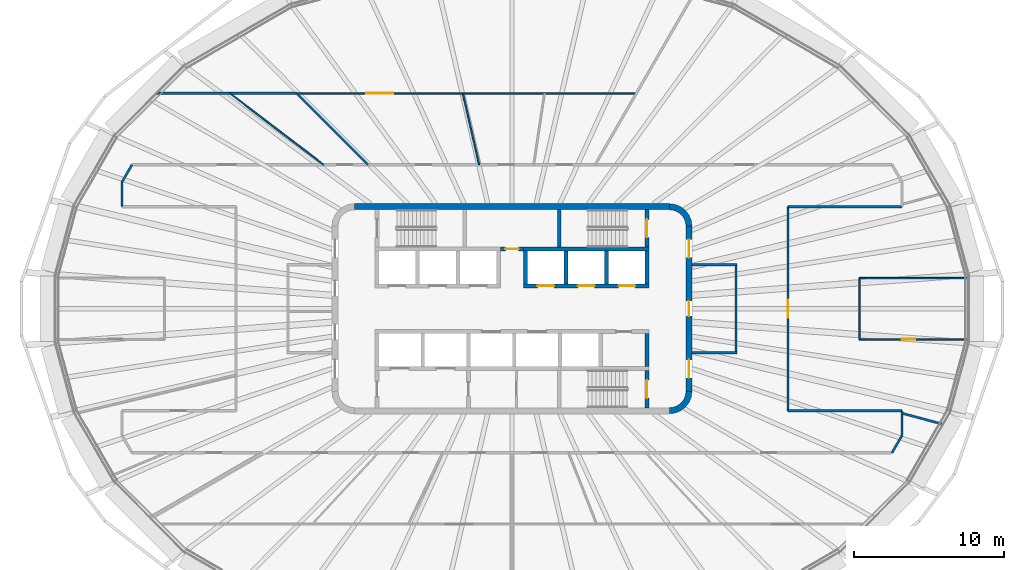
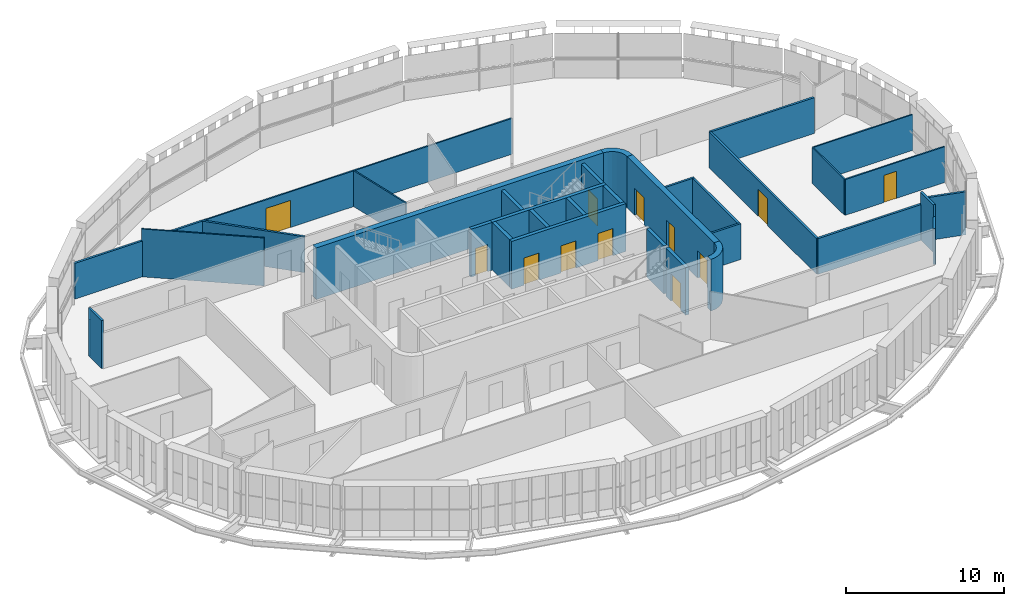
# One storey, part 12 of 20: 34 walls, 12 doors, 12 openings.
"""IFC4 building model written with IfcOpenShell, lengths in metres."""

import ifcopenshell
import ifcopenshell.guid

model = None  # the IFC model being written
_history = None  # IfcOwnerHistory: only IFC2X3 demands one
_inside = {}  # id of a spatial element -> (the spatial element, [elements in it])
_under = {}  # id of a project, library or spatial element -> (it, [spatial elements below it])
_declared = {}  # id of a project -> (the project, [libraries it declares])
_typed = {}  # id of a type object -> (the type object, [elements of that type])
_made_of = {}  # id of a material, layer set ... -> (it, [elements and type objects made of it])


def new_model(schema):
    """Start an empty IFC model of exactly this schema.

    Asked for "IFC4X3", IfcOpenShell would pick the latest addendum, in which some entities
    have other attributes; the version numbers below select the first issue.
    IFC2X3 requires an IfcOwnerHistory on every rooted entity: one is made here for all.
    """
    global model, _history
    if schema == "IFC4X3":
        model = ifcopenshell.file(schema_version=(4, 3, 0, 0))
    else:
        model = ifcopenshell.file(schema=schema)
    _inside.clear()
    _under.clear()
    _declared.clear()
    _typed.clear()
    _made_of.clear()
    _history = None
    if model.schema == "IFC2X3":
        org = make("IfcOrganization", Name="unknown")
        user = make(
            "IfcPersonAndOrganization",
            ThePerson=make("IfcPerson", FamilyName="unknown"),
            TheOrganization=org,
        )
        app = make(
            "IfcApplication",
            ApplicationDeveloper=org,
            Version="unknown",
            ApplicationFullName="unknown",
            ApplicationIdentifier="unknown",
        )
        _history = make(
            "IfcOwnerHistory",
            OwningUser=user,
            OwningApplication=app,
            ChangeAction="ADDED",
            CreationDate=0,
        )
    return model


def make(cls, **values):
    """One entity of the class cls with the attributes given. An attribute that is None is left unset."""
    return model.create_entity(
        cls, **{name: value for name, value in values.items() if value is not None}
    )


def rooted(cls, **values):
    """An entity with a GlobalId (a new one), such as an element, a storey or a relation."""
    return make(cls, GlobalId=ifcopenshell.guid.new(), OwnerHistory=_history, **values)


def si_unit(unit_type, name, prefix=None):
    """IfcSIUnit, for example si_unit("LENGTHUNIT", "METRE", prefix="MILLI")."""
    return make("IfcSIUnit", UnitType=unit_type, Prefix=prefix, Name=name)


def assignment(units):
    """IfcUnitAssignment: the units of a project."""
    return None if units is None else make("IfcUnitAssignment", Units=units)


def point(xyz):
    """IfcCartesianPoint."""
    return None if xyz is None else make("IfcCartesianPoint", Coordinates=xyz)


def direction(xyz):
    """IfcDirection."""
    return None if xyz is None else make("IfcDirection", DirectionRatios=xyz)


def frame(location, z_axis=None, x_axis=None):
    """IfcAxis2Placement3D, a coordinate frame: its origin and axes. An axis left out is left unset."""
    return make(
        "IfcAxis2Placement3D",
        Location=point(location),
        Axis=direction(z_axis),
        RefDirection=direction(x_axis),
    )


def frame_2d(location, x_axis=None):
    """IfcAxis2Placement2D, a coordinate frame in the plane: its origin and x axis."""
    return make(
        "IfcAxis2Placement2D", Location=point(location), RefDirection=direction(x_axis)
    )


def origin():
    """The frame at (0, 0, 0) with its axes left unset."""
    return frame((0.0, 0.0, 0.0))


def place(relative_to, where):
    """IfcLocalPlacement: puts the frame where relative to a parent placement (None: the world)."""
    return make(
        "IfcLocalPlacement", PlacementRelTo=relative_to, RelativePlacement=where
    )


def context(
    kind, dimensions, precision=None, world=None, true_north=None, identifier=None
):
    """IfcGeometricRepresentationContext, for example the 3D "Model" context."""
    return make(
        "IfcGeometricRepresentationContext",
        ContextIdentifier=identifier,
        ContextType=kind,
        CoordinateSpaceDimension=dimensions,
        Precision=precision,
        WorldCoordinateSystem=world,
        TrueNorth=true_north,
    )


def subcontext(parent, identifier, kind, view, scale=None):
    """IfcGeometricRepresentationSubContext, for example "Body" below "Model"."""
    return make(
        "IfcGeometricRepresentationSubContext",
        ContextIdentifier=identifier,
        ContextType=kind,
        ParentContext=parent,
        TargetScale=scale,
        TargetView=view,
    )


def project(units=None, contexts=None):
    """IfcProject with its units and contexts."""
    return rooted(
        "IfcProject",
        Name="project",
        RepresentationContexts=contexts,
        UnitsInContext=assignment(units),
    )


def spatial(cls, under=None, at=None, **own):
    """A site, building, storey or space (cls), placed at a placement, below another one or the project."""
    s = rooted(cls, ObjectPlacement=at, **own)
    if under is not None:
        _under.setdefault(under.id(), (under, []))[1].append(s)
    return s


def polyline(points):
    """IfcPolyline through the points."""
    return make("IfcPolyline", Points=[point(p) for p in points])


def profile(cls, at=None, kind="AREA", **sizes):
    """A parametric profile (cls). Its sizes go by their IFC names, for example OverallWidth=200.0."""
    return make(cls, ProfileType=kind, Position=at, **sizes)


def rectangle(**sizes):
    """IfcRectangleProfileDef."""
    return profile("IfcRectangleProfileDef", **sizes)


def outline(outer, holes=None, kind="AREA"):
    """IfcArbitraryClosedProfileDef: a profile drawn as a closed curve; with holes, ...WithVoids."""
    if holes is None:
        return make("IfcArbitraryClosedProfileDef", ProfileType=kind, OuterCurve=outer)
    return make(
        "IfcArbitraryProfileDefWithVoids",
        ProfileType=kind,
        OuterCurve=outer,
        InnerCurves=holes,
    )


def extrude(swept, where, along, depth):
    """IfcExtrudedAreaSolid: the profile swept, set in the frame where, extruded along a direction by depth."""
    return make(
        "IfcExtrudedAreaSolid",
        SweptArea=swept,
        Position=where,
        ExtrudedDirection=direction(along),
        Depth=depth,
    )


def shape(context_of_items, identifier, shape_type, items):
    """IfcShapeRepresentation: the items that make up one representation, for example the "Body"."""
    return make(
        "IfcShapeRepresentation",
        ContextOfItems=context_of_items,
        RepresentationIdentifier=identifier,
        RepresentationType=shape_type,
        Items=items,
    )


def material(Name=None, Category=None):
    """IfcMaterial."""
    return make("IfcMaterial", Name=Name, Category=Category)


def layer(
    of_material, thickness, ventilated=None, Name=None, Category=None, Priority=None
):
    """IfcMaterialLayer: one layer of a wall or slab, of a material (None: an air gap)."""
    return make(
        "IfcMaterialLayer",
        Material=of_material,
        LayerThickness=thickness,
        IsVentilated=ventilated,
        Name=Name,
        Category=Category,
        Priority=Priority,
    )


def layer_set(layers, Name=None):
    """IfcMaterialLayerSet."""
    return make("IfcMaterialLayerSet", MaterialLayers=layers, LayerSetName=Name)


def made_of(thing, what):
    """Note that an element or type object is made of a material, layer set ...; save() writes the relation."""
    if what is not None:
        _made_of.setdefault(what.id(), (what, []))[1].append(thing)
    return thing


def type_object(cls, material=None, **own):
    """A type object (cls), such as IfcWallType, which elements share."""
    return made_of(rooted(cls, **own), material)


def element(
    cls,
    number,
    at=None,
    inside=None,
    cuts=None,
    type_object=None,
    material=None,
    context=None,
    identifier="Body",
    shape_type=None,
    held_by="IfcProductDefinitionShape",
    body=None,
    shapes=None,
    **own,
):
    """One element of the class cls, such as IfcWall. Its Tag is "e" and its number.

    at: its placement. inside: the storey or other place that contains it. cuts: it is an
    opening in that element (IfcRelVoidsElement). A single representation is given by context,
    identifier, shape_type and body (its items); several are given by shapes. held_by: the class
    of the entity that holds the representations. save() writes the other relations.
    """
    e = rooted(cls, Tag="e%d" % number, ObjectPlacement=at, **own)
    if body is not None:
        shapes = [shape(context, identifier, shape_type, body)]
    if shapes is not None:
        e.Representation = make(held_by, Representations=shapes)
    if inside is not None:
        _inside.setdefault(inside.id(), (inside, []))[1].append(e)
    if cuts is not None:
        rooted(
            "IfcRelVoidsElement", RelatingBuildingElement=cuts, RelatedOpeningElement=e
        )
    if type_object is not None:
        _typed.setdefault(type_object.id(), (type_object, []))[1].append(e)
    return made_of(e, material)


def fill(opening, filler):
    """IfcRelFillsElement: the door or window that sits in an opening."""
    return rooted(
        "IfcRelFillsElement",
        RelatingOpeningElement=opening,
        RelatedBuildingElement=filler,
    )


def aggregate(whole, parts):
    """IfcRelAggregates: a whole, such as a stair, and the parts it consists of."""
    return rooted("IfcRelAggregates", RelatingObject=whole, RelatedObjects=parts)


def save(model, path):
    """Write the relations noted so far, then the file.

    IfcRelAggregates (storeys below a building ...), IfcRelContainedInSpatialStructure (elements
    in a storey), IfcRelDefinesByType, IfcRelAssociatesMaterial and IfcRelDeclares: one each for
    every whole, place, type object, material and project.
    """
    for whole, parts in _under.values():
        aggregate(whole, parts)
    for where, things in _inside.values():
        rooted(
            "IfcRelContainedInSpatialStructure",
            RelatedElements=things,
            RelatingStructure=where,
        )
    for kind, things in _typed.values():
        rooted("IfcRelDefinesByType", RelatedObjects=things, RelatingType=kind)
    for what, things in _made_of.values():
        rooted("IfcRelAssociatesMaterial", RelatedObjects=things, RelatingMaterial=what)
    for by, libraries in _declared.values():
        rooted("IfcRelDeclares", RelatingContext=by, RelatedDefinitions=libraries)
    model.write(path)


model = new_model("IFC4")

# Units and contexts
model_context = context("Model", 3, precision=1e-05, world=origin(), true_north=direction((0.0, 1.0)))
body_context = subcontext(model_context, "Body", "Model", "MODEL_VIEW")
ifc_project = project(units=[si_unit("LENGTHUNIT", "METRE"), si_unit("AREAUNIT", "SQUARE_METRE"), si_unit("VOLUMEUNIT", "CUBIC_METRE"), si_unit("PLANEANGLEUNIT", "RADIAN"), si_unit("MASSUNIT", "GRAM", prefix="KILO")], contexts=[model_context])

# Site, building, storey
site_placement = place(None, origin())
site = spatial("IfcSite", under=ifc_project, at=site_placement, CompositionType="ELEMENT")
building_placement = place(site_placement, origin())
building = spatial("IfcBuilding", under=site, at=building_placement, Name="Sahrelin Media Tower", CompositionType="ELEMENT")
storey_placement = place(building_placement, frame((0.0, 0.0, 245.60009765625)))
storey = spatial("IfcBuildingStorey", under=building, at=storey_placement, Name="L53", CompositionType="ELEMENT", Elevation=245.60009765625)

# Wall
ifc_material_1 = material(Name="Concrete C60/75", Category="concrete")
ifc_layer_1 = layer(ifc_material_1, 0.39990234375)
ifc_layer_set_1 = layer_set([ifc_layer_1], Name="Core wall 400")
wall_type_1 = type_object("IfcWallType", Name="Core wall 400", PredefinedType="SHEAR", material=ifc_layer_set_1)
wall_1_placement = place(storey_placement, frame((-10.5, 6.800048828125, 0.0), z_axis=(0.0, 0.0, 1.0), x_axis=(1.0, 0.0, 0.0)))
element("IfcWall", 1, at=wall_1_placement, inside=storey, type_object=wall_type_1, Name="Core wall N L53", PredefinedType="SHEAR", context=body_context, shape_type="SweptSolid", body=[
    extrude(rectangle(XDim=21.0, YDim=0.39990234375, at=frame_2d((10.5, 0.0))), origin(), (0.0, 0.0, 1.0), 4.0),
])

# Wall, openings, doors
wall_2_placement = place(storey_placement, frame((11.800048828125, -5.5, 0.0), z_axis=(0.0, 0.0, 1.0), x_axis=(0.0, 1.0, 0.0)))
wall_2 = element("IfcWall", 2, at=wall_2_placement, inside=storey, type_object=wall_type_1, Name="Core wall E L53", PredefinedType="SHEAR", context=body_context, shape_type="SweptSolid", body=[
    extrude(rectangle(XDim=11.0, YDim=0.39990234375, at=frame_2d((5.5, 0.0))), origin(), (0.0, 0.0, 1.0), 4.0),
])
opening_1_placement = place(wall_2_placement, frame((5.0, 0.0, 0.0)))
opening_1 = element("IfcOpeningElement", 3, at=opening_1_placement, cuts=wall_2, Name="Opening L53-D11", PredefinedType="OPENING", context=body_context, shape_type="SweptSolid", body=[
    extrude(rectangle(XDim=1.0, YDim=2.10009765625, at=frame_2d((0.5, 1.050048828125))), frame((0.0, 0.199951171875, 0.0), z_axis=(0.0, -1.0, 0.0), x_axis=(1.0, 0.0, 0.0)), (0.0, 0.0, 1.0), 0.39990234375),
])
opening_2_placement = place(wall_2_placement, frame((0.89990234375, 0.0, 0.0)))
opening_2 = element("IfcOpeningElement", 4, at=opening_2_placement, cuts=wall_2, Name="Opening L53-D14", PredefinedType="OPENING", context=body_context, shape_type="SweptSolid", body=[
    extrude(rectangle(XDim=1.199951171875, YDim=2.10009765625, at=frame_2d((0.60009765625, 1.050048828125))), frame((0.0, 0.199951171875, 0.0), z_axis=(0.0, -1.0, 0.0), x_axis=(1.0, 0.0, 0.0)), (0.0, 0.0, 1.0), 0.39990234375),
])
opening_3_placement = place(wall_2_placement, frame((8.89990234375, 0.0, 0.0)))
opening_3 = element("IfcOpeningElement", 5, at=opening_3_placement, cuts=wall_2, Name="Opening L53-D15", PredefinedType="OPENING", context=body_context, shape_type="SweptSolid", body=[
    extrude(rectangle(XDim=1.199951171875, YDim=2.10009765625, at=frame_2d((0.60009765625, 1.050048828125))), frame((0.0, 0.199951171875, 0.0), z_axis=(0.0, -1.0, 0.0), x_axis=(1.0, 0.0, 0.0)), (0.0, 0.0, 1.0), 0.39990234375),
])
ifc_material_2 = material(Name="Steel fire door leaf", Category="steel")
door_type_1 = type_object("IfcDoorType", Name="Fire door 1000 x 2100 EI 60", OperationType="NOTDEFINED", PredefinedType="DOOR", material=ifc_material_2)
door_1_placement = place(opening_1_placement, origin())
door_1 = element("IfcDoor", 6, at=door_1_placement, inside=storey, type_object=door_type_1, Name="Core room door", OperationType="SINGLE_SWING_RIGHT", OverallHeight=2.10009765625, OverallWidth=1.0, PredefinedType="DOOR", context=body_context, shape_type="SweptSolid", body=[
    extrude(rectangle(XDim=1.0, YDim=2.10009765625, at=frame_2d((0.5, 1.050048828125))), frame((0.0, 0.02490234375, 0.0), z_axis=(0.0, -1.0, 0.0), x_axis=(1.0, 0.0, 0.0)), (0.0, 0.0, 1.0), 0.050048828125),
])
fill(opening_1, door_1)
door_type_2 = type_object("IfcDoorType", Name="Lobby door 1200 x 2100 EI 60", OperationType="NOTDEFINED", PredefinedType="DOOR", material=ifc_material_2)
door_2_placement = place(opening_2_placement, origin())
door_2 = element("IfcDoor", 7, at=door_2_placement, inside=storey, type_object=door_type_2, Name="Lobby door", OperationType="SINGLE_SWING_LEFT", OverallHeight=2.10009765625, OverallWidth=1.199951171875, PredefinedType="DOOR", context=body_context, shape_type="SweptSolid", body=[
    extrude(rectangle(XDim=1.199951171875, YDim=2.10009765625, at=frame_2d((0.60009765625, 1.050048828125))), frame((0.0, 0.02490234375, 0.0), z_axis=(0.0, -1.0, 0.0), x_axis=(1.0, 0.0, 0.0)), (0.0, 0.0, 1.0), 0.050048828125),
])
fill(opening_2, door_2)
door_3_placement = place(opening_3_placement, origin())
door_3 = element("IfcDoor", 8, at=door_3_placement, inside=storey, type_object=door_type_2, Name="Lobby door", OperationType="SINGLE_SWING_LEFT", OverallHeight=2.10009765625, OverallWidth=1.199951171875, PredefinedType="DOOR", context=body_context, shape_type="SweptSolid", body=[
    extrude(rectangle(XDim=1.199951171875, YDim=2.10009765625, at=frame_2d((0.60009765625, 1.050048828125))), frame((0.0, 0.02490234375, 0.0), z_axis=(0.0, -1.0, 0.0), x_axis=(1.0, 0.0, 0.0)), (0.0, 0.0, 1.0), 0.050048828125),
])
fill(opening_3, door_3)

# Walls
placement = place(storey_placement, origin())
element("IfcWall", 9, at=placement, inside=storey, type_object=wall_type_1, Name="Core wall corner NE L53", PredefinedType="SHEAR", context=body_context, shape_type="SweptSolid", body=[
    extrude(outline(polyline([(10.5, 7.0), (10.5, 6.596435546875), (10.78369140625, 6.55908203125), (11.04833984375, 6.44970703125), (11.275390625, 6.275390625), (11.44970703125, 6.04833984375), (11.55908203125, 5.78369140625), (11.596435546875, 5.5), (12.0, 5.5), (11.948974609375, 5.88818359375), (11.799072265625, 6.25), (11.560791015625, 6.560791015625), (11.25, 6.799072265625), (10.88818359375, 6.948974609375), (10.5, 7.0)])), origin(), (0.0, 0.0, 1.0), 4.0),
])
element("IfcWall", 10, at=placement, inside=storey, type_object=wall_type_1, Name="Core wall corner SE L53", PredefinedType="SHEAR", context=body_context, shape_type="SweptSolid", body=[
    extrude(outline(polyline([(12.0, -5.5), (11.596435546875, -5.5), (11.55908203125, -5.78369140625), (11.44970703125, -6.04833984375), (11.275390625, -6.275390625), (11.04833984375, -6.44970703125), (10.78369140625, -6.55908203125), (10.5, -6.596435546875), (10.5, -7.0), (10.88818359375, -6.948974609375), (11.25, -6.799072265625), (11.560791015625, -6.560791015625), (11.799072265625, -6.25), (11.948974609375, -5.88818359375), (12.0, -5.5)])), origin(), (0.0, 0.0, 1.0), 4.0),
])

# Wall, opening, door
ifc_material_3 = material(Name="Fire-rated gypsum board partition")
ifc_layer_2 = layer(ifc_material_3, 0.25)
ifc_layer_set_2 = layer_set([ifc_layer_2], Name="Fire-rated lobby wall 250")
wall_type_2 = type_object("IfcWallType", Name="Fire-rated lobby wall 250", PredefinedType="PARTITIONING", material=ifc_layer_set_2)
wall_5_placement = place(storey_placement, frame((-0.77490234375, 3.97509765625, 0.0), z_axis=(0.0, 0.0, 1.0), x_axis=(1.0, 0.0, 0.0)))
wall_5 = element("IfcWall", 11, at=wall_5_placement, inside=storey, type_object=wall_type_2, Name="Core lobby wall", PredefinedType="PARTITIONING", context=body_context, shape_type="SweptSolid", body=[
    extrude(rectangle(XDim=1.5498046875, YDim=0.25, at=frame_2d((0.77490234375, 0.0))), origin(), (0.0, 0.0, 1.0), 3.699951171875),
])
opening_4_placement = place(wall_5_placement, frame((0.324951171875, 0.0, 0.0)))
opening_4 = element("IfcOpeningElement", 12, at=opening_4_placement, cuts=wall_5, Name="Opening L53-D06", PredefinedType="OPENING", context=body_context, shape_type="SweptSolid", body=[
    extrude(rectangle(XDim=0.89990234375, YDim=2.10009765625, at=frame_2d((0.449951171875, 1.050048828125))), frame((0.0, 0.125, 0.0), z_axis=(0.0, -1.0, 0.0), x_axis=(1.0, 0.0, 0.0)), (0.0, 0.0, 1.0), 0.25),
])
door_type_3 = type_object("IfcDoorType", Name="Riser door 900 x 2100 EI 120", OperationType="NOTDEFINED", PredefinedType="DOOR", material=ifc_material_2)
door_4_placement = place(opening_4_placement, origin())
door_4 = element("IfcDoor", 13, at=door_4_placement, inside=storey, type_object=door_type_3, Name="Core room door", OperationType="SINGLE_SWING_LEFT", OverallHeight=2.10009765625, OverallWidth=0.89990234375, PredefinedType="DOOR", context=body_context, shape_type="SweptSolid", body=[
    extrude(rectangle(XDim=0.89990234375, YDim=2.10009765625, at=frame_2d((0.449951171875, 1.050048828125))), frame((0.0, 0.02490234375, 0.0), z_axis=(0.0, -1.0, 0.0), x_axis=(1.0, 0.0, 0.0)), (0.0, 0.0, 1.0), 0.050048828125),
])
fill(opening_4, door_4)

# Walls
ifc_layer_3 = layer(ifc_material_3, 0.14990234375)
ifc_layer_set_3 = layer_set([ifc_layer_3], Name="Fire-rated partition 150")
wall_type_3 = type_object("IfcWallType", Name="Fire-rated partition 150", PredefinedType="PARTITIONING", material=ifc_layer_set_3)
wall_6_placement = place(storey_placement, frame((14.925048828125, -2.85009765625, 0.0), z_axis=(0.0, 0.0, 1.0), x_axis=(0.0, 1.0, 0.0)))
element("IfcWall", 14, at=wall_6_placement, inside=storey, type_object=wall_type_3, Name="Core room fire partition", PredefinedType="PARTITIONING", context=body_context, shape_type="SweptSolid", body=[
    extrude(rectangle(XDim=5.7001953125, YDim=0.14990234375, at=frame_2d((2.85009765625, 0.0))), origin(), (0.0, 0.0, 1.0), 2.76806640625),
])
for number, where, z_axis, x_axis, name in (
    (15, (12.0, 2.925048828125, 0.0), (0.0, 0.0, 1.0), (1.0, 0.0, 0.0), "Core room fire partition"),
    (16, (12.0, -2.925048828125, 0.0), (0.0, 0.0, 1.0), (1.0, 0.0, 0.0), "Core room fire partition"),
):
    element("IfcWall", number, at=place(storey_placement, frame(where, z_axis=z_axis, x_axis=x_axis)), inside=storey, type_object=wall_type_3, Name=name, PredefinedType="PARTITIONING", context=body_context, shape_type="SweptSolid", body=[
        extrude(rectangle(XDim=3.0, YDim=0.14990234375, at=frame_2d((1.5, 0.0))), origin(), (0.0, 0.0, 1.0), 2.76806640625),
    ])
wall_7_placement = place(storey_placement, frame((-14.360107421875, 14.360107421875, 0.0), z_axis=(0.0, 0.0, 1.0), x_axis=(0.707106781187, -0.707106781187, 0.0)))
element("IfcWall", 17, at=wall_7_placement, inside=storey, type_object=wall_type_3, Name="Wall", PredefinedType="PARTITIONING", context=body_context, shape_type="SweptSolid", body=[
    extrude(rectangle(XDim=6.731689453125, YDim=0.14990234375, at=frame_2d((3.36572265625, 0.0))), origin(), (0.0, 0.0, 1.0), 2.76806640625),
])
wall_8_placement = place(storey_placement, frame((26.0, -6.967041015625, 0.0), z_axis=(0.0, 0.0, 1.0), x_axis=(0.965928451997, -0.258809245628, 0.0)))
element("IfcWall", 18, at=wall_8_placement, inside=storey, type_object=wall_type_3, Name="Wall", PredefinedType="PARTITIONING", context=body_context, shape_type="SweptSolid", body=[
    extrude(rectangle(XDim=2.835693359375, YDim=0.14990234375, at=frame_2d((1.41796875, 0.0))), origin(), (0.0, 0.0, 1.0), 3.324951171875),
])
for number, where, z_axis, x_axis, name in (
    (19, (18.39990234375, -6.800048828125, 0.0), (0.0, 0.0, 1.0), (1.0, 0.0, 0.0), "Wall"),
    (20, (18.39990234375, 6.800048828125, 0.0), (0.0, 0.0, 1.0), (1.0, 0.0, 0.0), "Wall"),
):
    element("IfcWall", number, at=place(storey_placement, frame(where, z_axis=z_axis, x_axis=x_axis)), inside=storey, type_object=wall_type_3, Name=name, PredefinedType="PARTITIONING", context=body_context, shape_type="SweptSolid", body=[
        extrude(rectangle(XDim=7.60009765625, YDim=0.14990234375, at=frame_2d((3.800048828125, 0.0))), origin(), (0.0, 0.0, 1.0), 2.76806640625),
    ])
wall_9_placement = place(storey_placement, frame((-23.7099609375, 14.360107421875, 0.0), z_axis=(0.0, 0.0, 1.0), x_axis=(1.0, 0.0, 0.0)))
element("IfcWall", 21, at=wall_9_placement, inside=storey, type_object=wall_type_3, Name="Wall", PredefinedType="PARTITIONING", context=body_context, shape_type="SweptSolid", body=[
    extrude(rectangle(XDim=9.349853515625, YDim=0.14990234375, at=frame_2d((4.6748046875, 0.0))), origin(), (0.0, 0.0, 1.0), 2.76806640625),
])
for number, where, z_axis, x_axis, name in (
    (22, (25.3330078125, -9.60009765625, 0.0), (0.0, 0.0, 1.0), (0.500076310463, 0.865981341435, 0.0), "Wall"),
    (23, (-26.0, 8.445068359375, 0.0), (0.0, 0.0, 1.0), (0.500076310463, 0.865981341435, 0.0), "Wall"),
):
    element("IfcWall", number, at=place(storey_placement, frame(where, z_axis=z_axis, x_axis=x_axis)), inside=storey, type_object=wall_type_3, Name=name, PredefinedType="PARTITIONING", context=body_context, shape_type="SweptSolid", body=[
        extrude(rectangle(XDim=1.333740234375, YDim=0.14990234375, at=frame_2d((0.6669921875, 0.0))), origin(), (0.0, 0.0, 1.0), 2.76806640625),
    ])
wall_10_placement = place(storey_placement, frame((26.0, -8.445068359375, 0.0), z_axis=(0.0, 0.0, 1.0), x_axis=(0.0, 1.0, 0.0)))
element("IfcWall", 24, at=wall_10_placement, inside=storey, type_object=wall_type_3, Name="Wall", PredefinedType="PARTITIONING", context=body_context, shape_type="SweptSolid", body=[
    extrude(rectangle(XDim=1.64501953125, YDim=0.14990234375, at=frame_2d((0.822509765625, 0.0))), origin(), (0.0, 0.0, 1.0), 3.699951171875),
])

# Wall, opening, door
wall_11_placement = place(storey_placement, frame((18.39990234375, -6.800048828125, 0.0), z_axis=(0.0, 0.0, 1.0), x_axis=(0.0, 1.0, 0.0)))
wall_11 = element("IfcWall", 25, at=wall_11_placement, inside=storey, type_object=wall_type_3, Name="Wall", PredefinedType="PARTITIONING", context=body_context, shape_type="SweptSolid", body=[
    extrude(rectangle(XDim=13.60009765625, YDim=0.14990234375, at=frame_2d((6.800048828125, 0.0))), origin(), (0.0, 0.0, 1.0), 2.76806640625),
])
opening_5_placement = place(wall_11_placement, frame((6.199951171875, 0.0, 0.0)))
opening_5 = element("IfcOpeningElement", 26, at=opening_5_placement, cuts=wall_11, Name="Opening L53-D16", PredefinedType="OPENING", context=body_context, shape_type="SweptSolid", body=[
    extrude(rectangle(XDim=1.199951171875, YDim=2.10009765625, at=frame_2d((0.60009765625, 1.050048828125))), frame((0.0, 0.074951171875, 0.0), z_axis=(0.0, -1.0, 0.0), x_axis=(1.0, 0.0, 0.0)), (0.0, 0.0, 1.0), 0.14990234375),
])
door_type_4 = type_object("IfcDoorType", Name="Service double door 1200 x 2100 EI 60", OperationType="DOUBLE_DOOR_SINGLE_SWING", PredefinedType="DOOR", material=ifc_material_2)
door_5_placement = place(opening_5_placement, origin())
door_5 = element("IfcDoor", 27, at=door_5_placement, inside=storey, type_object=door_type_4, Name="Service double door", OperationType="DOUBLE_DOOR_SINGLE_SWING", OverallHeight=2.10009765625, OverallWidth=1.199951171875, PredefinedType="DOOR", context=body_context, shape_type="SweptSolid", body=[
    extrude(rectangle(XDim=1.199951171875, YDim=2.10009765625, at=frame_2d((0.60009765625, 1.050048828125))), frame((0.0, 0.02490234375, 0.0), z_axis=(0.0, -1.0, 0.0), x_axis=(1.0, 0.0, 0.0)), (0.0, 0.0, 1.0), 0.050048828125),
])
fill(opening_5, door_5)

# Wall
wall_12_placement = place(storey_placement, frame((-26.0, 6.800048828125, 0.0), z_axis=(0.0, 0.0, 1.0), x_axis=(0.0, 1.0, 0.0)))
element("IfcWall", 28, at=wall_12_placement, inside=storey, type_object=wall_type_3, Name="Wall", PredefinedType="PARTITIONING", context=body_context, shape_type="SweptSolid", body=[
    extrude(rectangle(XDim=1.64501953125, YDim=0.14990234375, at=frame_2d((0.822509765625, 0.0))), origin(), (0.0, 0.0, 1.0), 3.699951171875),
])

# Wall, openings, doors
ifc_layer_4 = layer(ifc_material_1, 0.25)
ifc_layer_set_4 = layer_set([ifc_layer_4], Name="Lift shaft wall 250")
wall_type_4 = type_object("IfcWallType", Name="Lift shaft wall 250", PredefinedType="SOLIDWALL", material=ifc_layer_set_4)
wall_13_placement = place(storey_placement, frame((0.77490234375, 1.52490234375, 0.0), z_axis=(0.0, 0.0, 1.0), x_axis=(1.0, 0.0, 0.0)))
wall_13 = element("IfcWall", 29, at=wall_13_placement, inside=storey, type_object=wall_type_4, Name="Lift shaft wall", PredefinedType="SOLIDWALL", context=body_context, shape_type="SweptSolid", body=[
    extrude(rectangle(XDim=8.35009765625, YDim=0.25, at=frame_2d((4.175048828125, 0.0))), origin(), (0.0, 0.0, 1.0), 3.699951171875),
])
opening_6_placement = place(wall_13_placement, frame((0.925048828125, 0.0, 0.0)))
opening_6 = element("IfcOpeningElement", 30, at=opening_6_placement, cuts=wall_13, Name="Opening L53-LD-HR4", PredefinedType="OPENING", context=body_context, shape_type="SweptSolid", body=[
    extrude(rectangle(XDim=1.10009765625, YDim=2.10009765625, at=frame_2d((0.550048828125, 1.050048828125))), frame((0.0, 0.125, 0.0), z_axis=(0.0, -1.0, 0.0), x_axis=(1.0, 0.0, 0.0)), (0.0, 0.0, 1.0), 0.25),
])
opening_7_placement = place(wall_13_placement, frame((3.625, 0.0, 0.0)))
opening_7 = element("IfcOpeningElement", 31, at=opening_7_placement, cuts=wall_13, Name="Opening L53-LD-HR5", PredefinedType="OPENING", context=body_context, shape_type="SweptSolid", body=[
    extrude(rectangle(XDim=1.10009765625, YDim=2.10009765625, at=frame_2d((0.550048828125, 1.050048828125))), frame((0.0, 0.125, 0.0), z_axis=(0.0, -1.0, 0.0), x_axis=(1.0, 0.0, 0.0)), (0.0, 0.0, 1.0), 0.25),
])
opening_8_placement = place(wall_13_placement, frame((6.324951171875, 0.0, 0.0)))
opening_8 = element("IfcOpeningElement", 32, at=opening_8_placement, cuts=wall_13, Name="Opening L53-LD-HR6", PredefinedType="OPENING", context=body_context, shape_type="SweptSolid", body=[
    extrude(rectangle(XDim=1.10009765625, YDim=2.10009765625, at=frame_2d((0.550048828125, 1.050048828125))), frame((0.0, 0.125, 0.0), z_axis=(0.0, -1.0, 0.0), x_axis=(1.0, 0.0, 0.0)), (0.0, 0.0, 1.0), 0.25),
])
ifc_material_4 = material(Name="Stainless steel", Category="steel")
door_type_5 = type_object("IfcDoorType", Name="Lift landing door 1100 x 2100 EI 120", OperationType="DOUBLE_DOOR_SLIDING", PredefinedType="DOOR", material=ifc_material_4)
door_6_placement = place(opening_6_placement, origin())
door_6 = element("IfcDoor", 33, at=door_6_placement, inside=storey, type_object=door_type_5, Name="Lift landing door HR4", OperationType="DOUBLE_DOOR_SLIDING", OverallHeight=2.10009765625, OverallWidth=1.10009765625, PredefinedType="DOOR", context=body_context, shape_type="SweptSolid", body=[
    extrude(rectangle(XDim=1.10009765625, YDim=2.10009765625, at=frame_2d((0.550048828125, 1.050048828125))), frame((0.0, 0.02490234375, 0.0), z_axis=(0.0, -1.0, 0.0), x_axis=(1.0, 0.0, 0.0)), (0.0, 0.0, 1.0), 0.050048828125),
])
fill(opening_6, door_6)
door_7_placement = place(opening_7_placement, origin())
door_7 = element("IfcDoor", 34, at=door_7_placement, inside=storey, type_object=door_type_5, Name="Lift landing door HR5", OperationType="DOUBLE_DOOR_SLIDING", OverallHeight=2.10009765625, OverallWidth=1.10009765625, PredefinedType="DOOR", context=body_context, shape_type="SweptSolid", body=[
    extrude(rectangle(XDim=1.10009765625, YDim=2.10009765625, at=frame_2d((0.550048828125, 1.050048828125))), frame((0.0, 0.02490234375, 0.0), z_axis=(0.0, -1.0, 0.0), x_axis=(1.0, 0.0, 0.0)), (0.0, 0.0, 1.0), 0.050048828125),
])
fill(opening_7, door_7)
door_8_placement = place(opening_8_placement, origin())
door_8 = element("IfcDoor", 35, at=door_8_placement, inside=storey, type_object=door_type_5, Name="Lift landing door HR6", OperationType="DOUBLE_DOOR_SLIDING", OverallHeight=2.10009765625, OverallWidth=1.10009765625, PredefinedType="DOOR", context=body_context, shape_type="SweptSolid", body=[
    extrude(rectangle(XDim=1.10009765625, YDim=2.10009765625, at=frame_2d((0.550048828125, 1.050048828125))), frame((0.0, 0.02490234375, 0.0), z_axis=(0.0, -1.0, 0.0), x_axis=(1.0, 0.0, 0.0)), (0.0, 0.0, 1.0), 0.050048828125),
])
fill(opening_8, door_8)

# Walls
wall_14_placement = place(storey_placement, frame((0.77490234375, 3.97509765625, 0.0), z_axis=(0.0, 0.0, 1.0), x_axis=(1.0, 0.0, 0.0)))
element("IfcWall", 36, at=wall_14_placement, inside=storey, type_object=wall_type_4, Name="Lift shaft wall", PredefinedType="SOLIDWALL", context=body_context, shape_type="SweptSolid", body=[
    extrude(rectangle(XDim=8.35009765625, YDim=0.25, at=frame_2d((4.175048828125, 0.0))), origin(), (0.0, 0.0, 1.0), 3.699951171875),
])
for number, where, z_axis, x_axis, name in (
    (37, (9.0, 1.64990234375, 0.0), (0.0, 0.0, 1.0), (0.0, 1.0, 0.0), "Lift shaft wall"),
    (38, (6.300048828125, 1.64990234375, 0.0), (0.0, 0.0, 1.0), (0.0, 1.0, 0.0), "Lift shaft wall"),
    (39, (3.60009765625, 1.64990234375, 0.0), (0.0, 0.0, 1.0), (0.0, 1.0, 0.0), "Lift shaft wall"),
    (40, (0.89990234375, 1.64990234375, 0.0), (0.0, 0.0, 1.0), (0.0, 1.0, 0.0), "Lift shaft wall"),
    (41, (9.0, -3.85009765625, 0.0), (0.0, 0.0, 1.0), (0.0, 1.0, 0.0), "Lift shaft wall"),
):
    element("IfcWall", number, at=place(storey_placement, frame(where, z_axis=z_axis, x_axis=x_axis)), inside=storey, type_object=wall_type_4, Name=name, PredefinedType="SOLIDWALL", context=body_context, shape_type="SweptSolid", body=[
        extrude(rectangle(XDim=2.2001953125, YDim=0.25, at=frame_2d((1.10009765625, 0.0))), origin(), (0.0, 0.0, 1.0), 3.699951171875),
    ])
ifc_material_5 = material(Name="Gypsum board partition")
ifc_layer_5 = layer(ifc_material_5, 0.10009765625)
ifc_layer_set_5 = layer_set([ifc_layer_5], Name="Partition 100")
wall_type_5 = type_object("IfcWallType", Name="Partition 100", PredefinedType="PARTITIONING", material=ifc_layer_set_5)
wall_15_placement = place(storey_placement, frame((-3.277099609375, 14.360107421875, 0.0), z_axis=(0.0, 0.0, 1.0), x_axis=(0.222470409815, -0.97493944261, 0.0)))
element("IfcWall", 42, at=wall_15_placement, inside=storey, type_object=wall_type_5, Name="Wall", PredefinedType="PARTITIONING", context=body_context, shape_type="SweptSolid", body=[
    extrude(rectangle(XDim=4.88232421875, YDim=0.10009765625, at=frame_2d((2.441162109375, 0.0))), origin(), (0.0, 0.0, 1.0), 2.76806640625),
])
wall_16_placement = place(storey_placement, frame((-18.797119140625, 14.360107421875, 0.0), z_axis=(0.0, 0.0, 1.0), x_axis=(0.794667043869, -0.607045541445, 0.0)))
element("IfcWall", 43, at=wall_16_placement, inside=storey, type_object=wall_type_5, Name="Wall", PredefinedType="PARTITIONING", context=body_context, shape_type="SweptSolid", body=[
    extrude(rectangle(XDim=7.84130859375, YDim=0.10009765625, at=frame_2d((3.920654296875, 0.0))), origin(), (0.0, 0.0, 1.0), 3.699951171875),
])

# Wall, opening, door
wall_17_placement = place(storey_placement, frame((23.159912109375, -2.0400390625, 0.0), z_axis=(0.0, 0.0, 1.0), x_axis=(1.0, 0.0, 0.0)))
wall_17 = element("IfcWall", 44, at=wall_17_placement, inside=storey, type_object=wall_type_5, Name="Wall", PredefinedType="PARTITIONING", context=body_context, shape_type="SweptSolid", body=[
    extrude(rectangle(XDim=7.2900390625, YDim=0.10009765625, at=frame_2d((3.64501953125, 0.0))), origin(), (0.0, 0.0, 1.0), 2.76806640625),
])
opening_9_placement = place(wall_17_placement, frame((2.8388671875, 0.0, 0.0)))
opening_9 = element("IfcOpeningElement", 45, at=opening_9_placement, cuts=wall_17, Name="Opening L53-D18", PredefinedType="OPENING", context=body_context, shape_type="SweptSolid", body=[
    extrude(rectangle(XDim=0.89990234375, YDim=2.10009765625, at=frame_2d((0.449951171875, 1.050048828125))), frame((0.0, 0.050048828125, 0.0), z_axis=(0.0, -1.0, 0.0), x_axis=(1.0, 0.0, 0.0)), (0.0, 0.0, 1.0), 0.10009765625),
])
ifc_material_6 = material(Name="Timber door leaf", Category="wood")
door_type_6 = type_object("IfcDoorType", Name="Single door 900 x 2100", OperationType="NOTDEFINED", PredefinedType="DOOR", material=ifc_material_6)
door_9_placement = place(opening_9_placement, origin())
door_9 = element("IfcDoor", 46, at=door_9_placement, inside=storey, type_object=door_type_6, Name="Single door", OperationType="SINGLE_SWING_RIGHT", OverallHeight=2.10009765625, OverallWidth=0.89990234375, PredefinedType="DOOR", context=body_context, shape_type="SweptSolid", body=[
    extrude(rectangle(XDim=0.89990234375, YDim=2.10009765625, at=frame_2d((0.449951171875, 1.050048828125))), frame((0.0, 0.02490234375, 0.0), z_axis=(0.0, -1.0, 0.0), x_axis=(1.0, 0.0, 0.0)), (0.0, 0.0, 1.0), 0.050048828125),
])
fill(opening_9, door_9)

# Wall
wall_18_placement = place(storey_placement, frame((23.159912109375, 2.0400390625, 0.0), z_axis=(0.0, 0.0, 1.0), x_axis=(1.0, 0.0, 0.0)))
element("IfcWall", 47, at=wall_18_placement, inside=storey, type_object=wall_type_5, Name="Wall", PredefinedType="PARTITIONING", context=body_context, shape_type="SweptSolid", body=[
    extrude(rectangle(XDim=7.2900390625, YDim=0.10009765625, at=frame_2d((3.64501953125, 0.0))), origin(), (0.0, 0.0, 1.0), 2.76806640625),
])

# Wall, opening, door
wall_19_placement = place(storey_placement, frame((-14.360107421875, 14.360107421875, 0.0), z_axis=(0.0, 0.0, 1.0), x_axis=(1.0, 0.0, 0.0)))
wall_19 = element("IfcWall", 48, at=wall_19_placement, inside=storey, type_object=wall_type_5, Name="Wall", PredefinedType="PARTITIONING", context=body_context, shape_type="SweptSolid", body=[
    extrude(rectangle(XDim=22.651123046875, YDim=0.10009765625, at=frame_2d((11.32568359375, 0.0))), origin(), (0.0, 0.0, 1.0), 2.76806640625),
])
opening_10_placement = place(wall_19_placement, frame((4.6416015625, 0.0, 0.0)))
opening_10 = element("IfcOpeningElement", 49, at=opening_10_placement, cuts=wall_19, Name="Opening L53-D22", PredefinedType="OPENING", context=body_context, shape_type="SweptSolid", body=[
    extrude(rectangle(XDim=1.800048828125, YDim=2.10009765625, at=frame_2d((0.89990234375, 1.050048828125))), frame((0.0, 0.050048828125, 0.0), z_axis=(0.0, -1.0, 0.0), x_axis=(1.0, 0.0, 0.0)), (0.0, 0.0, 1.0), 0.10009765625),
])
door_type_7 = type_object("IfcDoorType", Name="Double door 1800 x 2100", OperationType="DOUBLE_DOOR_SINGLE_SWING", PredefinedType="DOOR", material=ifc_material_6)
door_10_placement = place(opening_10_placement, origin())
door_10 = element("IfcDoor", 50, at=door_10_placement, inside=storey, type_object=door_type_7, Name="Double door", OperationType="DOUBLE_DOOR_SINGLE_SWING", OverallHeight=2.10009765625, OverallWidth=1.800048828125, PredefinedType="DOOR", context=body_context, shape_type="SweptSolid", body=[
    extrude(rectangle(XDim=1.800048828125, YDim=2.10009765625, at=frame_2d((0.89990234375, 1.050048828125))), frame((0.0, 0.02490234375, 0.0), z_axis=(0.0, -1.0, 0.0), x_axis=(1.0, 0.0, 0.0)), (0.0, 0.0, 1.0), 0.050048828125),
])
fill(opening_10, door_10)

# Wall
wall_20_placement = place(storey_placement, frame((23.159912109375, -2.0400390625, 0.0), z_axis=(0.0, 0.0, 1.0), x_axis=(0.0, 1.0, 0.0)))
element("IfcWall", 51, at=wall_20_placement, inside=storey, type_object=wall_type_5, Name="Wall", PredefinedType="PARTITIONING", context=body_context, shape_type="SweptSolid", body=[
    extrude(rectangle(XDim=4.080078125, YDim=0.10009765625, at=frame_2d((2.0400390625, 0.0))), origin(), (0.0, 0.0, 1.0), 2.76806640625),
])

# Wall, opening, door
ifc_layer_6 = layer(ifc_material_1, 0.25)
ifc_layer_set_6 = layer_set([ifc_layer_6], Name="Stair enclosure wall 250")
wall_type_6 = type_object("IfcWallType", Name="Stair enclosure wall 250", PredefinedType="SOLIDWALL", material=ifc_layer_set_6)
wall_21_placement = place(storey_placement, frame((9.0, 4.10009765625, 0.0), z_axis=(0.0, 0.0, 1.0), x_axis=(0.0, 1.0, 0.0)))
wall_21 = element("IfcWall", 52, at=wall_21_placement, inside=storey, type_object=wall_type_6, Name="Stair enclosure wall", PredefinedType="SOLIDWALL", context=body_context, shape_type="SweptSolid", body=[
    extrude(rectangle(XDim=2.5, YDim=0.25, at=frame_2d((1.25, 0.0))), origin(), (0.0, 0.0, 1.0), 3.699951171875),
])
opening_11_placement = place(wall_21_placement, frame((0.64990234375, 0.0, 0.0)))
opening_11 = element("IfcOpeningElement", 53, at=opening_11_placement, cuts=wall_21, Name="Opening L53-D02", PredefinedType="OPENING", context=body_context, shape_type="SweptSolid", body=[
    extrude(rectangle(XDim=1.199951171875, YDim=2.10009765625, at=frame_2d((0.60009765625, 1.050048828125))), frame((0.0, 0.125, 0.0), z_axis=(0.0, -1.0, 0.0), x_axis=(1.0, 0.0, 0.0)), (0.0, 0.0, 1.0), 0.25),
])
door_type_8 = type_object("IfcDoorType", Name="Stair door 1200 x 2100 EI 120", OperationType="NOTDEFINED", PredefinedType="DOOR", material=ifc_material_2)
door_11_placement = place(opening_11_placement, origin())
door_11 = element("IfcDoor", 54, at=door_11_placement, inside=storey, type_object=door_type_8, Name="Stair door ST3", OperationType="SINGLE_SWING_LEFT", OverallHeight=2.10009765625, OverallWidth=1.199951171875, PredefinedType="DOOR", context=body_context, shape_type="SweptSolid", body=[
    extrude(rectangle(XDim=1.199951171875, YDim=2.10009765625, at=frame_2d((0.60009765625, 1.050048828125))), frame((0.0, 0.02490234375, 0.0), z_axis=(0.0, -1.0, 0.0), x_axis=(1.0, 0.0, 0.0)), (0.0, 0.0, 1.0), 0.050048828125),
])
fill(opening_11, door_11)

wall_22_placement = place(storey_placement, frame((9.0, -6.60009765625, 0.0), z_axis=(0.0, 0.0, 1.0), x_axis=(0.0, 1.0, 0.0)))
wall_22 = element("IfcWall", 55, at=wall_22_placement, inside=storey, type_object=wall_type_6, Name="Stair enclosure wall", PredefinedType="SOLIDWALL", context=body_context, shape_type="SweptSolid", body=[
    extrude(rectangle(XDim=2.5, YDim=0.25, at=frame_2d((1.25, 0.0))), origin(), (0.0, 0.0, 1.0), 3.699951171875),
])
opening_12_placement = place(wall_22_placement, frame((0.64990234375, 0.0, 0.0)))
opening_12 = element("IfcOpeningElement", 56, at=opening_12_placement, cuts=wall_22, Name="Opening L53-D03", PredefinedType="OPENING", context=body_context, shape_type="SweptSolid", body=[
    extrude(rectangle(XDim=1.199951171875, YDim=2.10009765625, at=frame_2d((0.60009765625, 1.050048828125))), frame((0.0, 0.125, 0.0), z_axis=(0.0, -1.0, 0.0), x_axis=(1.0, 0.0, 0.0)), (0.0, 0.0, 1.0), 0.25),
])
door_12_placement = place(opening_12_placement, origin())
door_12 = element("IfcDoor", 57, at=door_12_placement, inside=storey, type_object=door_type_8, Name="Stair door ST2", OperationType="SINGLE_SWING_LEFT", OverallHeight=2.10009765625, OverallWidth=1.199951171875, PredefinedType="DOOR", context=body_context, shape_type="SweptSolid", body=[
    extrude(rectangle(XDim=1.199951171875, YDim=2.10009765625, at=frame_2d((0.60009765625, 1.050048828125))), frame((0.0, 0.02490234375, 0.0), z_axis=(0.0, -1.0, 0.0), x_axis=(1.0, 0.0, 0.0)), (0.0, 0.0, 1.0), 0.050048828125),
])
fill(opening_12, door_12)

# Wall
wall_23_placement = place(storey_placement, frame((3.14990234375, 4.10009765625, 0.0), z_axis=(0.0, 0.0, 1.0), x_axis=(0.0, 1.0, 0.0)))
element("IfcWall", 58, at=wall_23_placement, inside=storey, type_object=wall_type_6, Name="Stair enclosure wall", PredefinedType="SOLIDWALL", context=body_context, shape_type="SweptSolid", body=[
    extrude(rectangle(XDim=2.5, YDim=0.25, at=frame_2d((1.25, 0.0))), origin(), (0.0, 0.0, 1.0), 3.699951171875),
])

save(model, "model.ifc")
